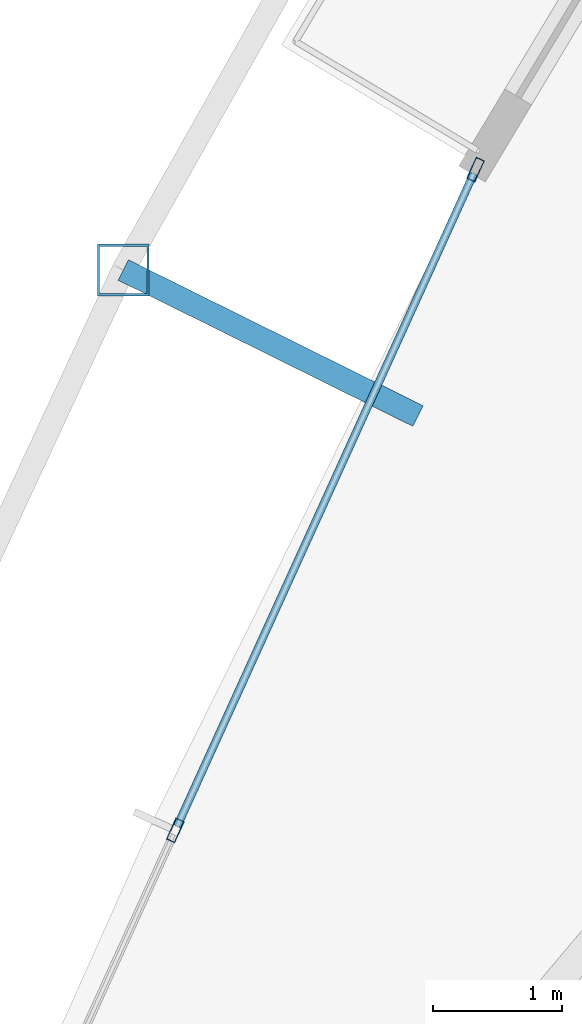
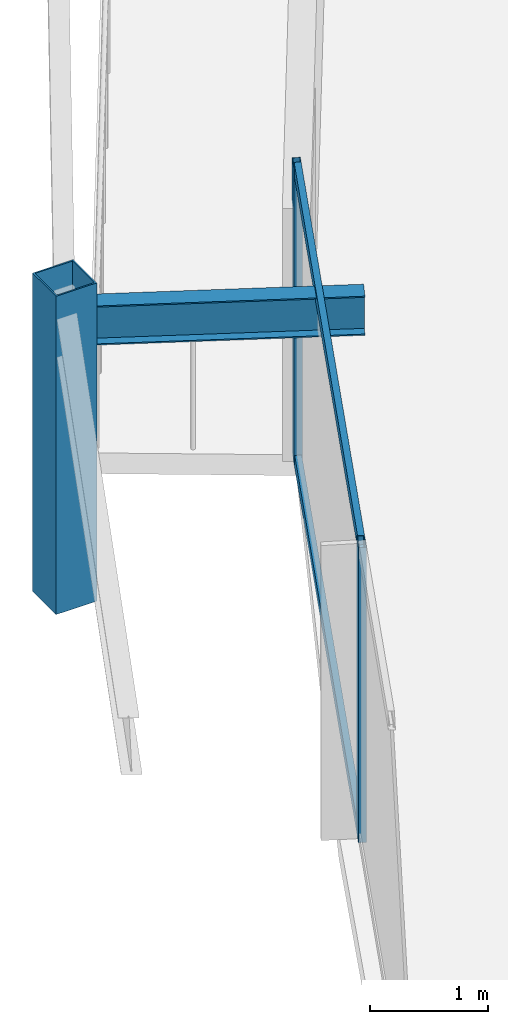
# One storey, part 10 of 30: 5 members, 1 beam, 1 element without a shape of its own.
"""IFC4 building model written with IfcOpenShell, lengths in metres."""

from ifc_helpers import new_model, si_unit, direction, frame, origin, origin_2d, place, context, subcontext, project, spatial, hollow_rectangle, i_section, extrude, material, layer, layer_set, material_profile, profile_set, type_object, element, aggregate, save


model = new_model("IFC4")

# Units and contexts
model_context = context("Model", 3, precision=1e-05, world=origin(), true_north=direction((0.0, 1.0)))
body_context = subcontext(model_context, "Body", "Model", "MODEL_VIEW")
ifc_project = project(units=[si_unit("LENGTHUNIT", "METRE"), si_unit("AREAUNIT", "SQUARE_METRE"), si_unit("VOLUMEUNIT", "CUBIC_METRE"), si_unit("PLANEANGLEUNIT", "RADIAN"), si_unit("MASSUNIT", "GRAM", prefix="KILO")], contexts=[model_context])

# Site, building, storey
site_placement = place(None, origin())
site = spatial("IfcSite", under=ifc_project, at=site_placement, CompositionType="ELEMENT")
building_placement = place(site_placement, origin())
building = spatial("IfcBuilding", under=site, at=building_placement, Name="Orvanel Arch Residences", CompositionType="ELEMENT")
storey_placement = place(building_placement, frame((0.0, 0.0, 139.699951171875)))
storey = spatial("IfcBuildingStorey", under=building, at=storey_placement, Name="L39", CompositionType="ELEMENT", Elevation=139.699951171875)

# Curtain wall, members
ifc_material_1 = material(Name="Bronze-anodised aluminium AA6063-T6", Category="aluminium")
ifc_layer = layer(ifc_material_1, 0.179931640625)
ifc_layer_set = layer_set([ifc_layer], Name="Bronze-anodised aluminium AA6063-T6")
curtain_wall_type = type_object("IfcCurtainWallType", Name="CW3-MID-SYS", PredefinedType="NOTDEFINED", material=ifc_layer_set)
curtain_wall_placement = place(storey_placement, origin())
curtain_wall = element("IfcCurtainWall", 1, at=curtain_wall_placement, inside=storey, type_object=curtain_wall_type, Name="L39 CW3-MID-SYS Unitised Curtain Wall", PredefinedType="NOTDEFINED")
ifc_material_profile_1 = material_profile(ifc_material_1, hollow_rectangle(XDim=0.070068359375, YDim=0.179931640625, WallThickness=0.00439453125, at=origin_2d()), Name="ALU180x70x4.5")
ifc_profile_set_1 = profile_set([ifc_material_profile_1], Name="Bronze-anodised aluminium AA6063-T6")
member_type_1 = type_object("IfcMemberType", Name="MUL-180x70", PredefinedType="MULLION", material=ifc_profile_set_1)
member_1_placement = place(storey_placement, frame((14.53662109375, 24.526123046875, 0.0), z_axis=(0.0, 0.0, 1.0), x_axis=(0.910449142842, -0.413621032225, 0.0)))
member_1 = element("IfcMember", 2, at=member_1_placement, type_object=member_type_1, Name="CW-S3 mullion 1", PredefinedType="MULLION", context=body_context, shape_type="SweptSolid", body=[
    extrude(hollow_rectangle(XDim=0.070068359375, YDim=0.179931640625, WallThickness=0.00439453125, at=origin_2d()), origin(), (0.0, 0.0, 1.0), 3.06005859375),
])
member_2_placement = place(storey_placement, frame((12.209716796875, 19.404296875, 0.0), z_axis=(0.0, 0.0, 1.0), x_axis=(0.910449142842, -0.413621032225, 0.0)))
member_2 = element("IfcMember", 3, at=member_2_placement, type_object=member_type_1, Name="CW-S3 mullion 2", PredefinedType="MULLION", context=body_context, shape_type="SweptSolid", body=[
    extrude(hollow_rectangle(XDim=0.070068359375, YDim=0.179931640625, WallThickness=0.00439453125, at=origin_2d()), origin(), (0.0, 0.0, 1.0), 3.06005859375),
])

# Beam
ifc_material_2 = material(Name="Structural steel AS/NZS 3679.1 Grade 300 (300 MPa)", Category="steel")
ifc_material_profile_2 = material_profile(ifc_material_2, i_section(OverallWidth=0.177978515625, OverallDepth=0.406005859375, WebThickness=0.0078125, FlangeThickness=0.0126953125, at=origin_2d()), Name="410UB59.7")
ifc_profile_set_2 = profile_set([ifc_material_profile_2], Name="Structural steel AS/NZS 3679.1 Grade 300 (300 MPa)")
beam_type = type_object("IfcBeamType", Name="OB-410UB-EXT", PredefinedType="SPANDREL", material=ifc_profile_set_2)
beam_placement = place(storey_placement, frame((14.091064453125, 22.615966796875, 2.85693359375), z_axis=(-0.89606774842, 0.443917323656, 0.0), x_axis=(-0.443917323656, -0.89606774842, 0.0)))
element("IfcBeam", 4, at=beam_placement, inside=storey, type_object=beam_type, Name="L39 Outer Frame Radial Tie Beam 03", PredefinedType="SPANDREL", context=body_context, shape_type="SweptSolid", body=[
    extrude(i_section(OverallWidth=0.177978515625, OverallDepth=0.406005859375, WebThickness=0.0078125, FlangeThickness=0.0126953125, at=origin_2d()), origin(), (0.0, 0.0, 1.0), 2.55029296875),
])

# Member
ifc_material_3 = material(Name="Structural steel AS/NZS 1163 C450L0 (Grade 450)", Category="steel")
ifc_material_profile_3 = material_profile(ifc_material_3, hollow_rectangle(XDim=0.39990234375, YDim=0.39990234375, WallThickness=0.01611328125, at=origin_2d()), Name="SHS400x400x16")
ifc_profile_set_3 = profile_set([ifc_material_profile_3], Name="Structural steel AS/NZS 1163 C450L0 (Grade 450)")
member_type_2 = type_object("IfcMemberType", Name="ST-400SHS-EXT", PredefinedType="STRUT", material=ifc_profile_set_3)
member_3_placement = place(storey_placement, frame((11.805908203125, 23.748046875, 0.0), z_axis=(0.0, 0.0, 1.0), x_axis=(1.0, 0.0, 0.0)))
element("IfcMember", 5, at=member_3_placement, inside=storey, type_object=member_type_2, Name="L39 Outer Perimeter Frame Post 03", PredefinedType="STRUT", context=body_context, shape_type="SweptSolid", body=[
    extrude(hollow_rectangle(XDim=0.39990234375, YDim=0.39990234375, WallThickness=0.01611328125, at=origin_2d()), origin(), (0.0, 0.0, 1.0), 3.300048828125),
])

ifc_material_profile_4 = material_profile(ifc_material_1, hollow_rectangle(XDim=0.06005859375, YDim=0.135009765625, WallThickness=0.00390625, at=origin_2d()), Name="ALU135x60x4")
ifc_profile_set_4 = profile_set([ifc_material_profile_4], Name="Bronze-anodised aluminium AA6063-T6")
member_type_3 = type_object("IfcMemberType", Name="TRN-135x60", PredefinedType="USERDEFINED", material=ifc_profile_set_4)
member_4_placement = place(storey_placement, frame((14.52197265625, 24.494384765625, 0.030029296875), z_axis=(-0.413610901204, -0.910453745341, 0.0), x_axis=(0.910453745341, -0.413610901204, 0.0)))
member_4 = element("IfcMember", 6, at=member_4_placement, type_object=member_type_3, Name="CW-S3 transom 1.1", ObjectType="TRANSOM", PredefinedType="USERDEFINED", context=body_context, shape_type="SweptSolid", body=[
    extrude(hollow_rectangle(XDim=0.06005859375, YDim=0.135009765625, WallThickness=0.00390625, at=origin_2d()), origin(), (0.0, 0.0, 1.0), 5.5556640625),
])

member_5_placement = place(storey_placement, frame((14.52197265625, 24.494384765625, 3.030029296875), z_axis=(-0.413610901204, -0.910453745341, 0.0), x_axis=(0.910453745341, -0.413610901204, 0.0)))
member_5 = element("IfcMember", 7, at=member_5_placement, type_object=member_type_3, Name="CW-S3 transom 1.2", ObjectType="TRANSOM", PredefinedType="USERDEFINED", context=body_context, shape_type="SweptSolid", body=[
    extrude(hollow_rectangle(XDim=0.06005859375, YDim=0.135009765625, WallThickness=0.00390625, at=origin_2d()), origin(), (0.0, 0.0, 1.0), 5.5556640625),
])

aggregate(curtain_wall, [member_1, member_2, member_4, member_5])

save(model, "model.ifc")
